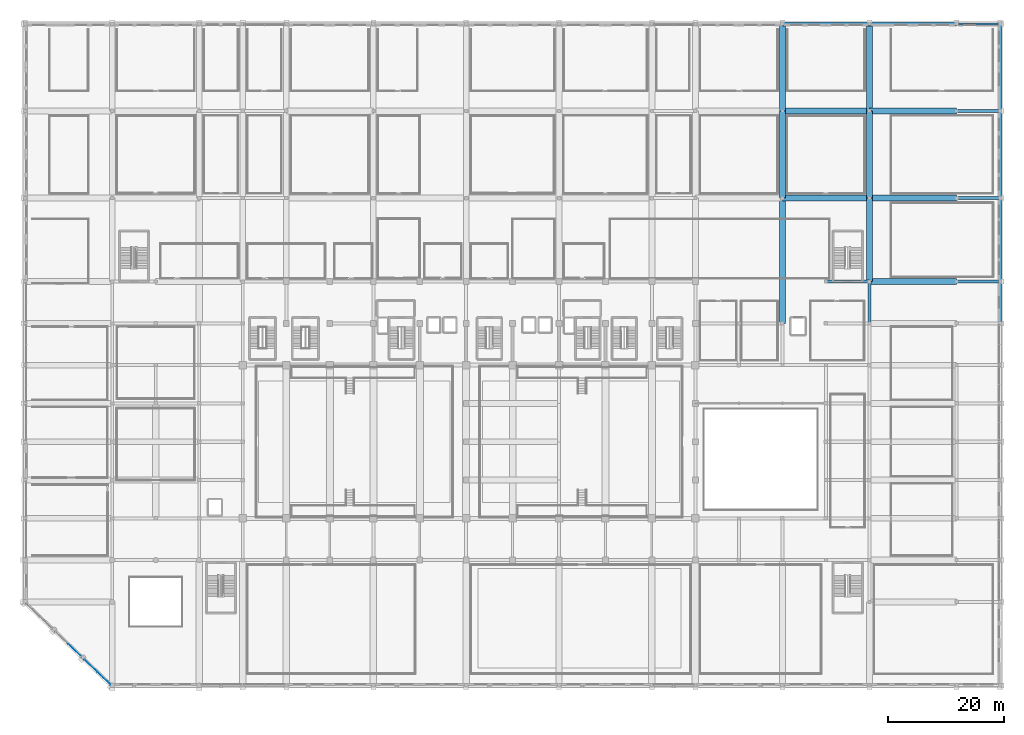
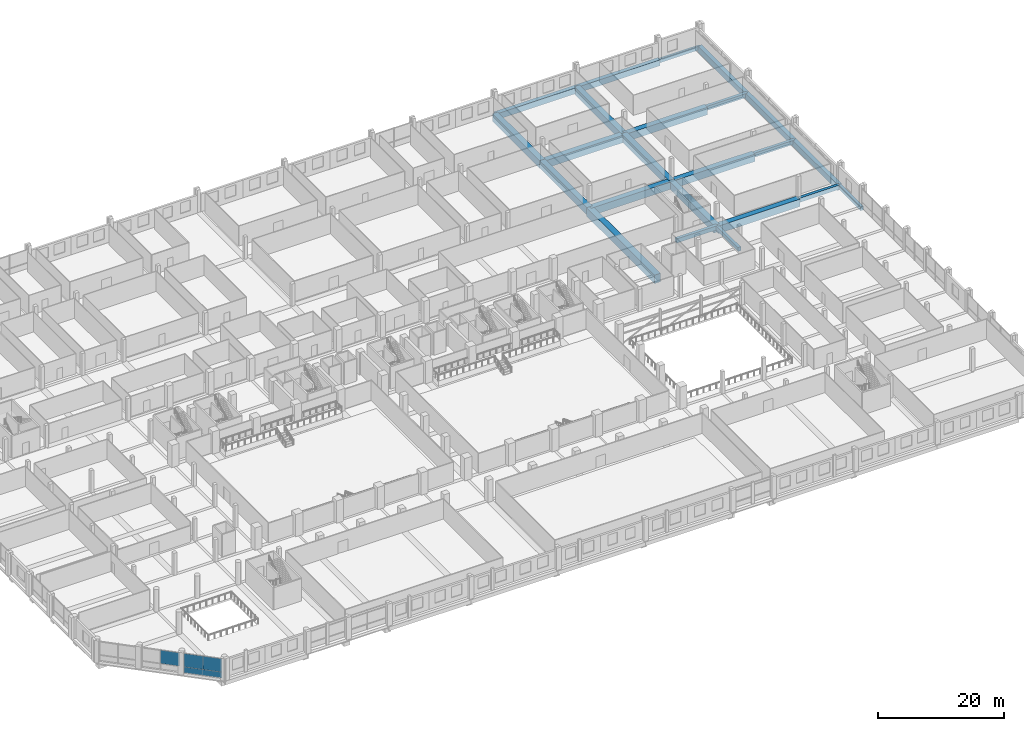
# One storey, part 38 of 68: 23 beams, 4 plates, 2 elements without a shape of their own.
"""IFC4 building model written with IfcOpenShell, lengths in metres."""

from ifc_helpers import new_model, si_unit, direction, frame, origin, origin_2d, place, context, subcontext, project, spatial, rectangle, extrude, material, layer, layer_set, material_profile, profile_set, type_object, element, aggregate, save


model = new_model("IFC4")

# Units and contexts
model_context = context("Model", 3, precision=1e-05, world=origin(), true_north=direction((0.0, 1.0)))
body_context = subcontext(model_context, "Body", "Model", "MODEL_VIEW")
ifc_project = project(units=[si_unit("LENGTHUNIT", "METRE"), si_unit("AREAUNIT", "SQUARE_METRE"), si_unit("VOLUMEUNIT", "CUBIC_METRE"), si_unit("PLANEANGLEUNIT", "RADIAN"), si_unit("MASSUNIT", "GRAM", prefix="KILO")], contexts=[model_context])

# Site, building, storey
site_placement = place(None, origin())
site = spatial("IfcSite", under=ifc_project, at=site_placement, CompositionType="ELEMENT")
building_placement = place(site_placement, origin())
building = spatial("IfcBuilding", under=site, at=building_placement, Name="Akrevak Sports Hall", CompositionType="ELEMENT")
storey_placement = place(building_placement, frame((0.0, 0.0, 9.39990234375)))
storey = spatial("IfcBuildingStorey", under=building, at=storey_placement, Name="L02", CompositionType="ELEMENT", Elevation=9.39990234375)

# Beams
ifc_material_1 = material(Name="Concrete C50/60", Category="concrete")
ifc_material_profile_1 = material_profile(ifc_material_1, rectangle(XDim=1.0, YDim=1.449951171875, at=origin_2d()), Name="BM 1000x1450", Category="concrete")
ifc_profile_set_1 = profile_set([ifc_material_profile_1], Name="Concrete C50/60")
beam_type_1 = type_object("IfcBeamType", Name="STR-BM-LG1000x1450", PredefinedType="BEAM", material=ifc_profile_set_1)
for number, where, z_axis, x_axis, name in (
    (1, (145.5, 69.60009765625, -0.724853515625), (1.0, 0.0, 0.0), (0.0, 1.0, 0.0), "Girder K/20-22 (L02)"),
    (2, (130.5, 84.0, -0.724853515625), (1.0, 0.0, 0.0), (0.0, 1.0, 0.0), "Girder M/18-20 (L02)"),
    (3, (145.5, 84.0, -0.724853515625), (1.0, 0.0, 0.0), (0.0, 1.0, 0.0), "Girder M/20-22 (L02)"),
    (4, (130.5, 99.0, -0.724853515625), (1.0, 0.0, 0.0), (0.0, 1.0, 0.0), "Girder O/18-20 (L02)"),
    (5, (145.5, 99.0, -0.724853515625), (1.0, 0.0, 0.0), (0.0, 1.0, 0.0), "Girder O/20-22 (L02)"),
    (6, (130.5, 84.0, -0.724853515625), (0.0, 1.0, 0.0), (-1.0, 0.0, 0.0), "Girder 18/M-O (L02)"),
    (7, (130.5, 99.0, -0.724853515625), (0.0, 1.0, 0.0), (-1.0, 0.0, 0.0), "Girder 18/O-Q (L02)"),
):
    element("IfcBeam", number, at=place(storey_placement, frame(where, z_axis=z_axis, x_axis=x_axis)), inside=storey, type_object=beam_type_1, Name=name, PredefinedType="BEAM", context=body_context, shape_type="SweptSolid", body=[
        extrude(rectangle(XDim=1.0, YDim=1.449951171875, at=origin_2d()), origin(), (0.0, 0.0, 1.0), 15.0),
    ])
beam_1_placement = place(storey_placement, frame((145.5, 69.60009765625, -0.724853515625), z_axis=(0.0, 1.0, 0.0), x_axis=(-1.0, 0.0, 0.0)))
element("IfcBeam", 8, at=beam_1_placement, inside=storey, type_object=beam_type_1, Name="Girder 20/K-M (L02)", PredefinedType="BEAM", context=body_context, shape_type="SweptSolid", body=[
    extrude(rectangle(XDim=1.0, YDim=1.449951171875, at=origin_2d()), origin(), (0.0, 0.0, 1.0), 14.39990234375),
])
for number, where, z_axis, x_axis, name in (
    (9, (145.5, 84.0, -0.724853515625), (0.0, 1.0, 0.0), (-1.0, 0.0, 0.0), "Girder 20/M-O (L02)"),
    (10, (145.5, 99.0, -0.724853515625), (0.0, 1.0, 0.0), (-1.0, 0.0, 0.0), "Girder 20/O-Q (L02)"),
):
    element("IfcBeam", number, at=place(storey_placement, frame(where, z_axis=z_axis, x_axis=x_axis)), inside=storey, type_object=beam_type_1, Name=name, PredefinedType="BEAM", context=body_context, shape_type="SweptSolid", body=[
        extrude(rectangle(XDim=1.0, YDim=1.449951171875, at=origin_2d()), origin(), (0.0, 0.0, 1.0), 15.0),
    ])
ifc_material_profile_2 = material_profile(ifc_material_1, rectangle(XDim=1.10009765625, YDim=1.64990234375, at=origin_2d()), Name="BM 1100x1650", Category="concrete")
ifc_profile_set_2 = profile_set([ifc_material_profile_2], Name="Concrete C50/60")
beam_type_2 = type_object("IfcBeamType", Name="STR-BM-LG1100x1650", PredefinedType="BEAM", material=ifc_profile_set_2)
beam_2_placement = place(storey_placement, frame((130.5, 62.39990234375, -0.824951171875), z_axis=(0.0, 1.0, 0.0), x_axis=(-1.0, 0.0, 0.0)))
element("IfcBeam", 11, at=beam_2_placement, inside=storey, type_object=beam_type_2, Name="Girder 18/J-M (L02)", PredefinedType="BEAM", context=body_context, shape_type="SweptSolid", body=[
    extrude(rectangle(XDim=1.10009765625, YDim=1.64990234375, at=origin_2d()), origin(), (0.0, 0.0, 1.0), 21.60009765625),
])
ifc_material_2 = material(Name="Concrete C40/50", Category="concrete")
ifc_material_profile_3 = material_profile(ifc_material_2, rectangle(XDim=0.5, YDim=0.75, at=origin_2d()), Name="BM 500x750", Category="concrete")
ifc_profile_set_3 = profile_set([ifc_material_profile_3], Name="Concrete C40/50")
beam_type_3 = type_object("IfcBeamType", Name="STR-BM-RC500x750", PredefinedType="BEAM", material=ifc_profile_set_3)
for number, where, z_axis, x_axis, name in (
    (12, (145.5, 62.39990234375, -0.375), (0.0, 1.0, 0.0), (-1.0, 0.0, 0.0), "Girder 20/J-K (L02)"),
    (13, (168.0, 62.39990234375, -0.375), (0.0, 1.0, 0.0), (-1.0, 0.0, 0.0), "Girder 23/J-K (L02)"),
):
    element("IfcBeam", number, at=place(storey_placement, frame(where, z_axis=z_axis, x_axis=x_axis)), inside=storey, type_object=beam_type_3, Name=name, PredefinedType="BEAM", context=body_context, shape_type="SweptSolid", body=[
        extrude(rectangle(XDim=0.5, YDim=0.75, at=origin_2d()), origin(), (0.0, 0.0, 1.0), 7.2001953125),
    ])
ifc_material_profile_4 = material_profile(ifc_material_2, rectangle(XDim=0.550048828125, YDim=0.800048828125, at=origin_2d()), Name="BM 550x800", Category="concrete")
ifc_profile_set_4 = profile_set([ifc_material_profile_4], Name="Concrete C40/50")
beam_type_4 = type_object("IfcBeamType", Name="STR-BM-RC550x800", PredefinedType="BEAM", material=ifc_profile_set_4)
for number, where, z_axis, x_axis, name in (
    (14, (138.0, 69.60009765625, -0.39990234375), (1.0, 0.0, 0.0), (0.0, 1.0, 0.0), "Girder K/19-20 (L02)"),
    (15, (160.5, 69.60009765625, -0.39990234375), (1.0, 0.0, 0.0), (0.0, 1.0, 0.0), "Girder K/22-23 (L02)"),
    (16, (160.5, 84.0, -0.39990234375), (1.0, 0.0, 0.0), (0.0, 1.0, 0.0), "Girder M/22-23 (L02)"),
    (17, (160.5, 99.0, -0.39990234375), (1.0, 0.0, 0.0), (0.0, 1.0, 0.0), "Girder O/22-23 (L02)"),
):
    element("IfcBeam", number, at=place(storey_placement, frame(where, z_axis=z_axis, x_axis=x_axis)), inside=storey, type_object=beam_type_4, Name=name, PredefinedType="BEAM", context=body_context, shape_type="SweptSolid", body=[
        extrude(rectangle(XDim=0.550048828125, YDim=0.800048828125, at=origin_2d()), origin(), (0.0, 0.0, 1.0), 7.5),
    ])
ifc_material_profile_5 = material_profile(ifc_material_1, rectangle(XDim=0.75, YDim=1.14990234375, at=origin_2d()), Name="SPD 750x1150", Category="concrete")
ifc_profile_set_5 = profile_set([ifc_material_profile_5], Name="Concrete C50/60")
beam_type_5 = type_object("IfcBeamType", Name="STR-SPD-LSP750x1150", PredefinedType="SPANDREL", material=ifc_profile_set_5)
for number, where, z_axis, x_axis, name in (
    (18, (130.5, 114.0, -0.574951171875), (1.0, 0.0, 0.0), (0.0, 1.0, 0.0), "Girder Q/18-20 (L02)"),
    (19, (145.5, 114.0, -0.574951171875), (1.0, 0.0, 0.0), (0.0, 1.0, 0.0), "Girder Q/20-22 (L02)"),
):
    element("IfcBeam", number, at=place(storey_placement, frame(where, z_axis=z_axis, x_axis=x_axis)), inside=storey, type_object=beam_type_5, Name=name, PredefinedType="SPANDREL", context=body_context, shape_type="SweptSolid", body=[
        extrude(rectangle(XDim=0.75, YDim=1.14990234375, at=origin_2d()), origin(), (0.0, 0.0, 1.0), 15.0),
    ])
beam_3_placement = place(storey_placement, frame((168.0, 69.60009765625, -0.574951171875), z_axis=(0.0, 1.0, 0.0), x_axis=(-1.0, 0.0, 0.0)))
element("IfcBeam", 20, at=beam_3_placement, inside=storey, type_object=beam_type_5, Name="Girder 23/K-M (L02)", PredefinedType="SPANDREL", context=body_context, shape_type="SweptSolid", body=[
    extrude(rectangle(XDim=0.75, YDim=1.14990234375, at=origin_2d()), origin(), (0.0, 0.0, 1.0), 14.39990234375),
])
for number, where, z_axis, x_axis, name in (
    (21, (168.0, 84.0, -0.574951171875), (0.0, 1.0, 0.0), (-1.0, 0.0, 0.0), "Girder 23/M-O (L02)"),
    (22, (168.0, 99.0, -0.574951171875), (0.0, 1.0, 0.0), (-1.0, 0.0, 0.0), "Girder 23/O-Q (L02)"),
):
    element("IfcBeam", number, at=place(storey_placement, frame(where, z_axis=z_axis, x_axis=x_axis)), inside=storey, type_object=beam_type_5, Name=name, PredefinedType="SPANDREL", context=body_context, shape_type="SweptSolid", body=[
        extrude(rectangle(XDim=0.75, YDim=1.14990234375, at=origin_2d()), origin(), (0.0, 0.0, 1.0), 15.0),
    ])
ifc_material_profile_6 = material_profile(ifc_material_2, rectangle(XDim=0.35009765625, YDim=0.75, at=origin_2d()), Name="SPD 350x750", Category="concrete")
ifc_profile_set_6 = profile_set([ifc_material_profile_6], Name="Concrete C40/50")
beam_type_6 = type_object("IfcBeamType", Name="STR-SPD-RC350x750", PredefinedType="SPANDREL", material=ifc_profile_set_6)
beam_4_placement = place(storey_placement, frame((160.5, 114.0, -0.375), z_axis=(1.0, 0.0, 0.0), x_axis=(0.0, 1.0, 0.0)))
element("IfcBeam", 23, at=beam_4_placement, inside=storey, type_object=beam_type_6, Name="Girder Q/22-23 (L02)", PredefinedType="SPANDREL", context=body_context, shape_type="SweptSolid", body=[
    extrude(rectangle(XDim=0.35009765625, YDim=0.75, at=origin_2d()), origin(), (0.0, 0.0, 1.0), 7.5),
])

# Curtain wall, plates
ifc_material_3 = material(Name="Anodized Bronze Aluminium & Low-E Glass", Category="aluminium")
curtain_wall_type = type_object("IfcCurtainWallType", Name="ARC-CW-POD-64x44", PredefinedType="NOTDEFINED", material=ifc_material_3)
curtain_wall_1_placement = place(storey_placement, origin())
curtain_wall_1 = element("IfcCurtainWall", 24, at=curtain_wall_1_placement, inside=storey, type_object=curtain_wall_type, Name="Curtain Wall CW-L02-CH1", PredefinedType="NOTDEFINED")
ifc_material_4 = material(Name="Double Low-E Tempered Glass", Category="glass")
ifc_layer_1 = layer(ifc_material_4, 0.035888671875, Name="Double Low-E Tempered Glass")
ifc_layer_set_1 = layer_set([ifc_layer_1], Name="Double Low-E Tempered Glass")
plate_type_1 = type_object("IfcPlateType", Name="ARC-CWP-GLZ-36", PredefinedType="CURTAIN_PANEL", material=ifc_layer_set_1)
plate_1_placement = place(storey_placement, frame((13.529052734375, 1.245849609375, 1.14990234375), z_axis=(0.0, 0.0, 1.0), x_axis=(-0.721397723859, 0.692520991747, 0.0)))
plate_1 = element("IfcPlate", 25, at=plate_1_placement, type_object=plate_type_1, Name="Vision Glass Panel CW-L02-CH1-G1", PredefinedType="CURTAIN_PANEL", context=body_context, shape_type="SweptSolid", body=[
    extrude(rectangle(XDim=3.0830078125, YDim=0.035888671875, at=origin_2d()), origin(), (0.0, 0.0, 1.0), 2.590087890625),
])
plate_2_placement = place(storey_placement, frame((11.304931640625, 3.380859375, 1.14990234375), z_axis=(0.0, 0.0, 1.0), x_axis=(-0.721397723859, 0.692520991747, 0.0)))
plate_2 = element("IfcPlate", 26, at=plate_2_placement, type_object=plate_type_1, Name="Vision Glass Panel CW-L02-CH1-G2", PredefinedType="CURTAIN_PANEL", context=body_context, shape_type="SweptSolid", body=[
    extrude(rectangle(XDim=3.0830078125, YDim=0.035888671875, at=origin_2d()), origin(), (0.0, 0.0, 1.0), 2.590087890625),
])

# Curtain wall, plate
curtain_wall_2_placement = place(storey_placement, origin())
curtain_wall_2 = element("IfcCurtainWall", 27, at=curtain_wall_2_placement, inside=storey, type_object=curtain_wall_type, Name="Curtain Wall CW-L02-CH2", PredefinedType="NOTDEFINED")
plate_3_placement = place(storey_placement, frame((8.529052734375, 6.0458984375, 1.14990234375), z_axis=(0.0, 0.0, 1.0), x_axis=(-0.721397723859, 0.692520991747, 0.0)))
plate_3 = element("IfcPlate", 28, at=plate_3_placement, type_object=plate_type_1, Name="Vision Glass Panel CW-L02-CH2-G1", PredefinedType="CURTAIN_PANEL", context=body_context, shape_type="SweptSolid", body=[
    extrude(rectangle(XDim=3.0830078125, YDim=0.035888671875, at=origin_2d()), origin(), (0.0, 0.0, 1.0), 2.590087890625),
])
aggregate(curtain_wall_2, [plate_3])

# Plate
ifc_material_5 = material(Name="Insulated Bronze Spandrel Panel", Category="aluminium")
ifc_layer_2 = layer(ifc_material_5, 0.0439453125, Name="Insulated Bronze Spandrel Panel")
ifc_layer_set_2 = layer_set([ifc_layer_2], Name="Insulated Bronze Spandrel Panel")
plate_type_2 = type_object("IfcPlateType", Name="ARC-CWP-SPD-44", PredefinedType="CURTAIN_PANEL", material=ifc_layer_set_2)
plate_4_placement = place(storey_placement, frame((12.4169921875, 2.3134765625, 0.000244140625), z_axis=(0.0, 0.0, 1.0), x_axis=(-0.721397723859, 0.692520991747, 0.0)))
plate_4 = element("IfcPlate", 29, at=plate_4_placement, type_object=plate_type_2, Name="Insulated Spandrel Panel CW-L02-CH1-S1", PredefinedType="CURTAIN_PANEL", context=body_context, shape_type="SweptSolid", body=[
    extrude(rectangle(XDim=6.166015625, YDim=0.0439453125, at=origin_2d()), origin(), (0.0, 0.0, 1.0), 1.14990234375),
])

aggregate(curtain_wall_1, [plate_1, plate_2, plate_4])

save(model, "model.ifc")
